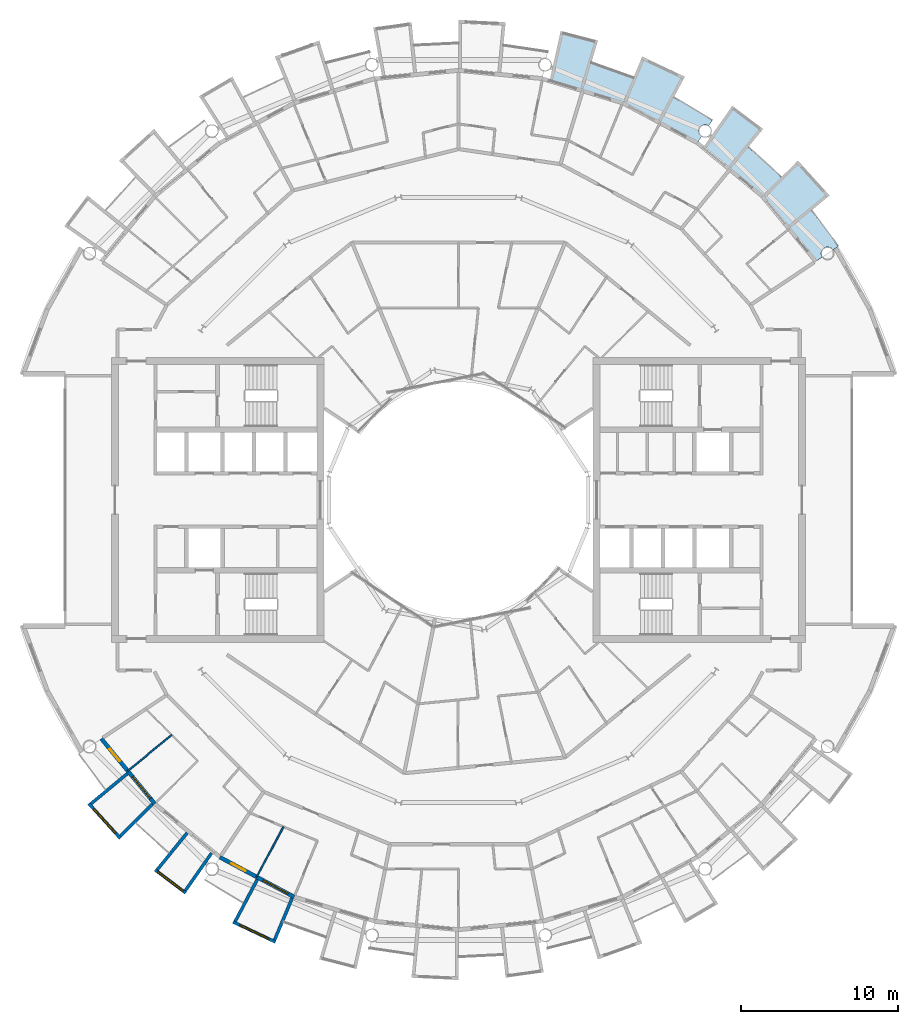
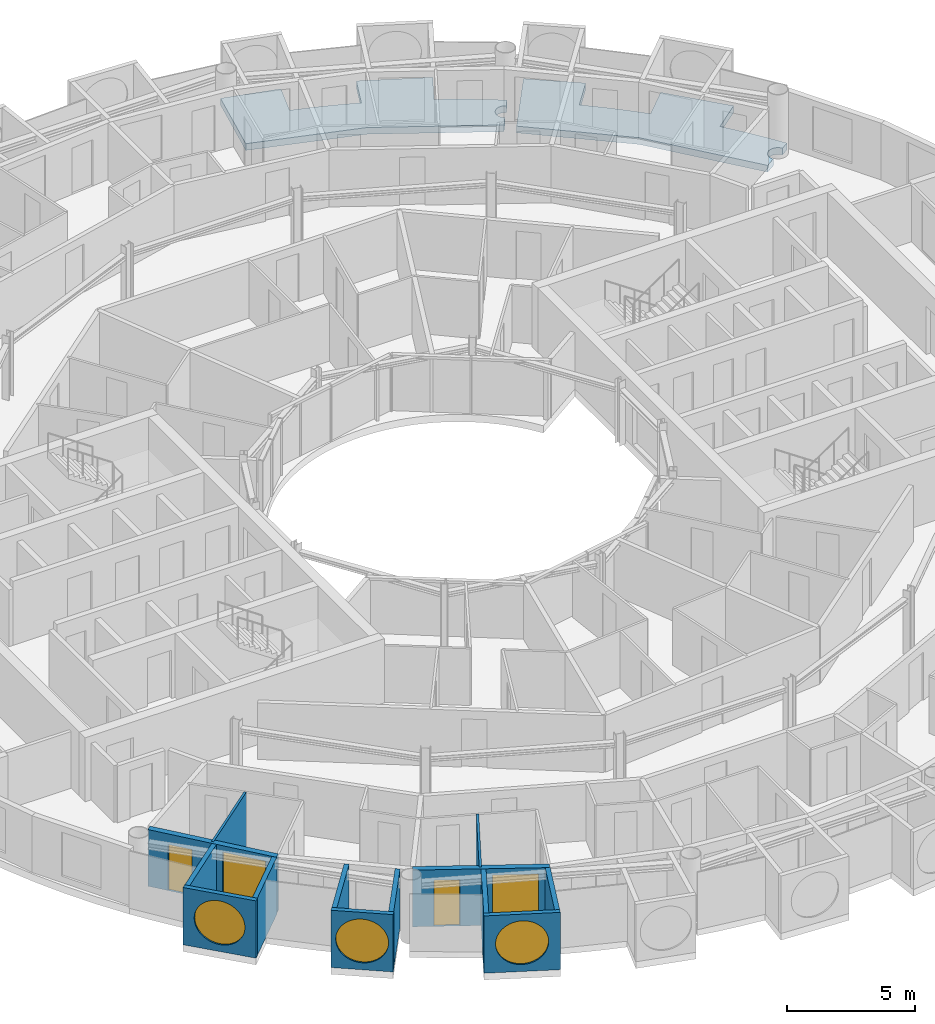
# One storey, part 14 of 29: 13 walls, 5 windows, 2 doors, 2 slabs, 7 openings.
"""IFC4 building model written with IfcOpenShell, lengths in metres."""

from ifc_helpers import new_model, si_unit, direction, frame, frame_2d, origin, place, context, subcontext, project, spatial, polyline, rectangle, circle, outline, extrude, material, layer, layer_set, type_object, element, fill, save


model = new_model("IFC4")

# Units and contexts
model_context = context("Model", 3, precision=1e-05, world=origin(), true_north=direction((0.0, 1.0)))
body_context = subcontext(model_context, "Body", "Model", "MODEL_VIEW")
ifc_project = project(units=[si_unit("LENGTHUNIT", "METRE"), si_unit("AREAUNIT", "SQUARE_METRE"), si_unit("VOLUMEUNIT", "CUBIC_METRE"), si_unit("PLANEANGLEUNIT", "RADIAN"), si_unit("MASSUNIT", "GRAM", prefix="KILO")], contexts=[model_context])

# Site, building, storey
site_placement = place(None, origin())
site = spatial("IfcSite", under=ifc_project, at=site_placement, CompositionType="ELEMENT")
building_placement = place(site_placement, origin())
building = spatial("IfcBuilding", under=site, at=building_placement, Name="Maasbend Ring Residences", CompositionType="ELEMENT")
storey_placement = place(building_placement, frame((0.0, 0.0, 212.699951171875)))
storey = spatial("IfcBuildingStorey", under=building, at=storey_placement, Name="L61", CompositionType="ELEMENT", Elevation=212.699951171875)

# Slabs
ifc_material_1 = material(Name="Concrete C40/50", Category="concrete")
ifc_layer_1 = layer(ifc_material_1, 0.199951171875)
ifc_layer_set_1 = layer_set([ifc_layer_1], Name="Concrete C40/50")
slab_type = type_object("IfcSlabType", Name="SL-LOGGIA", PredefinedType="FLOOR", material=ifc_layer_set_1)
slab_1_placement = place(storey_placement, frame((0.0, 0.0, -0.349853515625)))
element("IfcSlab", 1, at=slab_1_placement, inside=storey, type_object=slab_type, Name="Loggia floor 1", PredefinedType="FLOOR", context=body_context, shape_type="SweptSolid", body=[
    extrude(outline(polyline([(8.85400390625, 29.18701171875), (8.85400390625, 29.18701171875), (8.85400390625, 29.18701171875), (8.41796875, 27.751953125), (8.41796875, 27.751953125), (8.41796875, 27.751953125), (8.41796875, 27.751953125), (8.41796875, 27.751953125), (8.41796875, 27.751953125), (8.41796875, 27.7509765625), (8.41796875, 27.7509765625), (8.41796875, 27.7509765625), (8.41796875, 27.7509765625), (8.41796875, 27.7509765625), (8.4189453125, 27.7509765625), (8.4189453125, 27.7509765625), (8.4189453125, 27.7509765625), (8.4189453125, 27.7509765625), (8.4189453125, 27.7509765625), (8.4189453125, 27.7509765625), (9.322021484375, 27.4609375), (9.322021484375, 27.4609375), (10.215087890625, 27.14111328125), (10.215087890625, 27.14111328125), (11.096923828125, 26.79296875), (11.096923828125, 26.79296875), (11.096923828125, 26.79296875), (11.097900390625, 26.79296875), (11.097900390625, 26.79296875), (11.097900390625, 26.79296875), (11.097900390625, 26.79296875), (11.097900390625, 26.79296875), (11.097900390625, 26.79296875), (11.097900390625, 26.79296875), (11.097900390625, 26.79296875), (11.097900390625, 26.79296875), (11.097900390625, 26.79296875), (11.097900390625, 26.79296875), (11.097900390625, 26.79296875), (11.097900390625, 26.79296875), (11.097900390625, 26.79296875), (11.672119140625, 28.177978515625), (11.672119140625, 28.177978515625), (11.672119140625, 28.177978515625), (14.3779296875, 26.89892578125), (14.3779296875, 26.89892578125), (14.3779296875, 26.89892578125), (13.6708984375, 25.575927734375), (13.6708984375, 25.575927734375), (13.6708984375, 25.575927734375), (13.6708984375, 25.575927734375), (13.6708984375, 25.575927734375), (13.6708984375, 25.575927734375), (13.6708984375, 25.575927734375), (13.6708984375, 25.575927734375), (13.6708984375, 25.575927734375), (13.6708984375, 25.575927734375), (13.6708984375, 25.575927734375), (13.6708984375, 25.575927734375), (13.6708984375, 25.575927734375), (13.6708984375, 25.575927734375), (13.6708984375, 25.575927734375), (13.6708984375, 25.575927734375), (13.6708984375, 25.574951171875), (14.5, 25.114990234375), (14.5, 25.114990234375), (15.31396484375, 24.626953125), (15.31396484375, 24.626953125), (16.112060546875, 24.113037109375), (16.112060546875, 24.113037109375), (16.112060546875, 24.113037109375), (15.89306640625, 23.784912109375), (15.885009765625, 23.791015625), (15.8759765625, 23.7958984375), (15.866943359375, 23.801025390625), (15.85888671875, 23.805908203125), (15.85009765625, 23.81005859375), (15.841064453125, 23.81494140625), (15.83203125, 23.819091796875), (15.822998046875, 23.822998046875), (15.81298828125, 23.826904296875), (15.803955078125, 23.830078125), (15.794921875, 23.8330078125), (15.784912109375, 23.8359375), (15.77587890625, 23.839111328125), (15.76611328125, 23.842041015625), (15.756103515625, 23.843994140625), (15.74609375, 23.845947265625), (15.737060546875, 23.847900390625), (15.72705078125, 23.85009765625), (15.717041015625, 23.85107421875), (15.70703125, 23.85205078125), (15.697021484375, 23.85302734375), (15.68701171875, 23.85302734375), (15.677001953125, 23.85400390625), (15.6669921875, 23.85400390625), (15.656982421875, 23.85400390625), (15.64697265625, 23.85302734375), (15.636962890625, 23.85302734375), (15.626953125, 23.85205078125), (15.616943359375, 23.85107421875), (15.60693359375, 23.85009765625), (15.597900390625, 23.847900390625), (15.587890625, 23.845947265625), (15.577880859375, 23.843994140625), (15.568115234375, 23.842041015625), (15.55908203125, 23.839111328125), (15.549072265625, 23.8359375), (15.5400390625, 23.8330078125), (15.530029296875, 23.830078125), (15.52099609375, 23.826904296875), (15.511962890625, 23.822998046875), (15.501953125, 23.819091796875), (15.492919921875, 23.81494140625), (15.48388671875, 23.81005859375), (15.47509765625, 23.805908203125), (15.467041015625, 23.801025390625), (15.4580078125, 23.7958984375), (15.449951171875, 23.791015625), (15.44091796875, 23.784912109375), (15.43310546875, 23.780029296875), (15.425048828125, 23.77392578125), (15.4169921875, 23.76806640625), (15.408935546875, 23.761962890625), (15.402099609375, 23.7548828125), (15.39404296875, 23.7490234375), (15.386962890625, 23.741943359375), (15.3798828125, 23.735107421875), (15.373046875, 23.72802734375), (15.365966796875, 23.719970703125), (15.35888671875, 23.712890625), (15.35302734375, 23.705078125), (15.346923828125, 23.697021484375), (15.341064453125, 23.68994140625), (15.3349609375, 23.680908203125), (15.3291015625, 23.673095703125), (15.323974609375, 23.6650390625), (15.318115234375, 23.656005859375), (15.31298828125, 23.64794921875), (15.30908203125, 23.638916015625), (15.303955078125, 23.6298828125), (15.300048828125, 23.62109375), (15.294921875, 23.612060546875), (15.2919921875, 23.60302734375), (15.2880859375, 23.593994140625), (15.283935546875, 23.583984375), (15.281005859375, 23.574951171875), (15.278076171875, 23.56494140625), (15.27490234375, 23.555908203125), (15.27294921875, 23.5458984375), (15.27001953125, 23.535888671875), (15.26806640625, 23.527099609375), (15.26708984375, 23.51708984375), (15.264892578125, 23.507080078125), (15.263916015625, 23.4970703125), (15.262939453125, 23.487060546875), (15.261962890625, 23.47705078125), (15.260986328125, 23.467041015625), (15.260986328125, 23.45703125), (15.260986328125, 23.447021484375), (15.260986328125, 23.43701171875), (15.260986328125, 23.427001953125), (15.261962890625, 23.4169921875), (15.262939453125, 23.407958984375), (15.263916015625, 23.39794921875), (15.264892578125, 23.387939453125), (15.26708984375, 23.3779296875), (15.26806640625, 23.367919921875), (15.27001953125, 23.35791015625), (15.27294921875, 23.34912109375), (15.27490234375, 23.339111328125), (15.278076171875, 23.3291015625), (15.281005859375, 23.320068359375), (15.283935546875, 23.31005859375), (15.2880859375, 23.301025390625), (15.2919921875, 23.2919921875), (15.294921875, 23.282958984375), (15.300048828125, 23.27392578125), (15.303955078125, 23.264892578125), (15.30908203125, 23.256103515625), (15.31298828125, 23.2470703125), (15.318115234375, 23.238037109375), (15.323974609375, 23.22998046875), (15.3291015625, 23.221923828125), (15.3349609375, 23.212890625), (15.341064453125, 23.205078125), (15.346923828125, 23.197021484375), (15.35302734375, 23.18994140625), (15.35888671875, 23.181884765625), (15.365966796875, 23.174072265625), (15.373046875, 23.1669921875), (15.3798828125, 23.159912109375), (15.386962890625, 23.153076171875), (15.39404296875, 23.14599609375), (15.402099609375, 23.139892578125), (15.408935546875, 23.133056640625), (15.4169921875, 23.126953125), (15.425048828125, 23.12109375), (15.43310546875, 23.114990234375), (15.44091796875, 23.10888671875), (15.1669921875, 22.698974609375), (15.1669921875, 22.698974609375), (15.1669921875, 22.698974609375), (12.806884765625, 23.9609375), (10.447021484375, 25.221923828125), (10.447021484375, 25.221923828125), (10.447021484375, 25.221923828125), (7.886962890625, 25.9990234375), (5.797119140625, 26.633056640625), (5.797119140625, 26.633056640625), (5.797119140625, 26.633056640625), (6.487060546875, 29.802001953125), (6.487060546875, 29.802001953125), (6.487060546875, 29.802001953125), (8.85400390625, 29.18701171875)])), origin(), (0.0, 0.0, 1.0), 0.31982421875),
])
slab_2_placement = place(storey_placement, frame((0.0, 0.0, -0.349853515625)))
element("IfcSlab", 2, at=slab_2_placement, inside=storey, type_object=slab_type, Name="Loggia floor 4", PredefinedType="FLOOR", context=body_context, shape_type="SweptSolid", body=[
    extrude(outline(polyline([(19.34912109375, 23.576904296875), (19.34912109375, 23.576904296875), (19.34912109375, 23.576904296875), (18.39794921875, 22.41796875), (18.39794921875, 22.41796875), (18.39794921875, 22.41796875), (18.39794921875, 22.41796875), (18.39794921875, 22.41796875), (18.39794921875, 22.4169921875), (18.39794921875, 22.4169921875), (18.39794921875, 22.4169921875), (18.39794921875, 22.4169921875), (18.39794921875, 22.4169921875), (18.39794921875, 22.4169921875), (18.39794921875, 22.4169921875), (18.39794921875, 22.4169921875), (18.39794921875, 22.4169921875), (18.39794921875, 22.4169921875), (18.39794921875, 22.4169921875), (18.39794921875, 22.4169921875), (19.12109375, 21.802978515625), (19.12109375, 21.802978515625), (19.823974609375, 21.166015625), (19.823974609375, 21.166015625), (20.506103515625, 20.506103515625), (20.506103515625, 20.506103515625), (20.506103515625, 20.506103515625), (20.506103515625, 20.506103515625), (20.506103515625, 20.506103515625), (20.506103515625, 20.506103515625), (20.506103515625, 20.506103515625), (20.506103515625, 20.506103515625), (20.506103515625, 20.506103515625), (20.506103515625, 20.506103515625), (20.506103515625, 20.506103515625), (20.506103515625, 20.506103515625), (20.506103515625, 20.506103515625), (20.506103515625, 20.506103515625), (20.506103515625, 20.506103515625), (20.506103515625, 20.506103515625), (20.506103515625, 20.506103515625), (21.56689453125, 21.56689453125), (21.56689453125, 21.56689453125), (21.56689453125, 21.56689453125), (23.576904296875, 19.34912109375), (23.576904296875, 19.34912109375), (23.576904296875, 19.34912109375), (22.41796875, 18.39794921875), (22.41796875, 18.39794921875), (22.41796875, 18.39794921875), (22.41796875, 18.39794921875), (22.41796875, 18.39794921875), (22.41796875, 18.39794921875), (22.41796875, 18.39697265625), (22.41796875, 18.39697265625), (22.41796875, 18.39697265625), (22.41796875, 18.39697265625), (22.41796875, 18.39697265625), (22.41796875, 18.39697265625), (22.41796875, 18.39697265625), (22.41796875, 18.39697265625), (22.41796875, 18.39697265625), (22.41796875, 18.39697265625), (22.41796875, 18.39697265625), (23.007080078125, 17.654052734375), (23.007080078125, 17.654052734375), (23.572998046875, 16.89208984375), (23.572998046875, 16.89208984375), (24.113037109375, 16.112060546875), (24.113037109375, 16.112060546875), (24.113037109375, 16.112060546875), (23.784912109375, 15.89306640625), (23.784912109375, 15.89306640625), (23.780029296875, 15.90087890625), (23.77392578125, 15.908935546875), (23.76806640625, 15.9169921875), (23.761962890625, 15.925048828125), (23.7548828125, 15.93310546875), (23.7490234375, 15.93994140625), (23.741943359375, 15.947021484375), (23.735107421875, 15.955078125), (23.72802734375, 15.9619140625), (23.719970703125, 15.968017578125), (23.712890625, 15.97509765625), (23.705078125, 15.98095703125), (23.697021484375, 15.988037109375), (23.68994140625, 15.993896484375), (23.680908203125, 15.9990234375), (23.673095703125, 16.0048828125), (23.6650390625, 16.010986328125), (23.656005859375, 16.01611328125), (23.64794921875, 16.02099609375), (23.638916015625, 16.02587890625), (23.6298828125, 16.030029296875), (23.62109375, 16.034912109375), (23.612060546875, 16.0390625), (23.60302734375, 16.04296875), (23.593994140625, 16.0458984375), (23.583984375, 16.050048828125), (23.574951171875, 16.052978515625), (23.56494140625, 16.055908203125), (23.555908203125, 16.05908203125), (23.5458984375, 16.06103515625), (23.535888671875, 16.06396484375), (23.527099609375, 16.06591796875), (23.51708984375, 16.068115234375), (23.507080078125, 16.069091796875), (23.4970703125, 16.071044921875), (23.487060546875, 16.072021484375), (23.47705078125, 16.072021484375), (23.467041015625, 16.072998046875), (23.45703125, 16.072998046875), (23.447021484375, 16.073974609375), (23.43701171875, 16.072998046875), (23.427001953125, 16.072998046875), (23.4169921875, 16.072021484375), (23.407958984375, 16.072021484375), (23.39794921875, 16.071044921875), (23.387939453125, 16.069091796875), (23.3779296875, 16.068115234375), (23.367919921875, 16.06591796875), (23.35791015625, 16.06396484375), (23.34912109375, 16.06103515625), (23.339111328125, 16.05908203125), (23.3291015625, 16.055908203125), (23.320068359375, 16.052978515625), (23.31005859375, 16.050048828125), (23.301025390625, 16.0458984375), (23.2919921875, 16.04296875), (23.282958984375, 16.0390625), (23.27392578125, 16.034912109375), (23.264892578125, 16.030029296875), (23.256103515625, 16.02587890625), (23.2470703125, 16.02099609375), (23.238037109375, 16.01611328125), (23.22998046875, 16.010986328125), (23.221923828125, 16.0048828125), (23.212890625, 15.9990234375), (23.205078125, 15.993896484375), (23.197021484375, 15.988037109375), (23.18994140625, 15.98095703125), (23.181884765625, 15.97509765625), (23.174072265625, 15.968017578125), (23.1669921875, 15.9619140625), (23.159912109375, 15.955078125), (23.153076171875, 15.947021484375), (23.14599609375, 15.93994140625), (23.139892578125, 15.93310546875), (23.133056640625, 15.925048828125), (23.126953125, 15.9169921875), (23.12109375, 15.908935546875), (23.114990234375, 15.90087890625), (23.10888671875, 15.89306640625), (23.10400390625, 15.885009765625), (23.09912109375, 15.8759765625), (23.093994140625, 15.866943359375), (23.089111328125, 15.85888671875), (23.083984375, 15.85009765625), (23.080078125, 15.841064453125), (23.075927734375, 15.83203125), (23.072021484375, 15.822998046875), (23.068115234375, 15.81298828125), (23.06494140625, 15.803955078125), (23.06103515625, 15.794921875), (23.05810546875, 15.784912109375), (23.055908203125, 15.77587890625), (23.052978515625, 15.76611328125), (23.051025390625, 15.756103515625), (23.049072265625, 15.74609375), (23.047119140625, 15.737060546875), (23.044921875, 15.72705078125), (23.0439453125, 15.717041015625), (23.04296875, 15.70703125), (23.0419921875, 15.697021484375), (23.041015625, 15.68701171875), (23.041015625, 15.677001953125), (23.041015625, 15.6669921875), (23.041015625, 15.656982421875), (23.041015625, 15.64697265625), (23.0419921875, 15.636962890625), (23.04296875, 15.626953125), (23.0439453125, 15.616943359375), (23.044921875, 15.60693359375), (23.047119140625, 15.597900390625), (23.049072265625, 15.587890625), (23.051025390625, 15.577880859375), (23.052978515625, 15.568115234375), (23.055908203125, 15.55908203125), (23.05810546875, 15.549072265625), (23.06103515625, 15.5400390625), (23.06494140625, 15.530029296875), (23.068115234375, 15.52099609375), (23.072021484375, 15.511962890625), (23.075927734375, 15.501953125), (23.080078125, 15.492919921875), (23.083984375, 15.48388671875), (23.089111328125, 15.47509765625), (23.093994140625, 15.467041015625), (23.09912109375, 15.4580078125), (23.10400390625, 15.449951171875), (23.10888671875, 15.44091796875), (23.10888671875, 15.44091796875), (22.698974609375, 15.1669921875), (22.698974609375, 15.1669921875), (22.698974609375, 15.1669921875), (21.001953125, 17.236083984375), (19.303955078125, 19.303955078125), (19.303955078125, 19.303955078125), (19.303955078125, 19.303955078125), (17.236083984375, 21.001953125), (15.547119140625, 22.386962890625), (15.547119140625, 22.386962890625), (15.547119140625, 22.386962890625), (17.39794921875, 25.051025390625), (17.39794921875, 25.051025390625), (17.39794921875, 25.051025390625), (19.34912109375, 23.576904296875)])), origin(), (0.0, 0.0, 1.0), 0.31982421875),
])

# Wall, opening, window
ifc_material_2 = material(Name="Pale anodised aluminium panel", Category="aluminium")
ifc_layer_2 = layer(ifc_material_2, 0.199951171875)
ifc_layer_set_2 = layer_set([ifc_layer_2], Name="EW-BOX")
wall_type_1 = type_object("IfcWallType", Name="EW-BOX", PredefinedType="SOLIDWALL", material=ifc_layer_set_2)
wall_1_placement = place(storey_placement, frame((-23.5029296875, -19.281982421875, -0.030029296875), z_axis=(0.0, 0.0, 1.0), x_axis=(0.671506829416, -0.740998365753, 0.0)))
wall_1 = element("IfcWall", 3, at=wall_1_placement, inside=storey, type_object=wall_type_1, Name="Box front S02", PredefinedType="SOLIDWALL", context=body_context, shape_type="SweptSolid", body=[
    extrude(rectangle(XDim=2.9931640625, YDim=0.199951171875, at=frame_2d((1.49658203125, 0.0))), origin(), (0.0, 0.0, 1.0), 2.72998046875),
])
opening_1_placement = place(wall_1_placement, frame((0.45654296875, 0.0, 0.330078125)))
opening_1 = element("IfcOpeningElement", 4, at=opening_1_placement, cuts=wall_1, Name="Opening W-RD", PredefinedType="OPENING", context=body_context, shape_type="SweptSolid", body=[
    extrude(circle(Radius=1.0400390625, at=frame_2d((1.0400390625, 1.0400390625))), frame((0.0, 0.10986328125, 0.0), z_axis=(0.0, -1.0, 0.0), x_axis=(1.0, 0.0, 0.0)), (0.0, 0.0, 1.0), 0.219970703125),
])
ifc_material_3 = material(Name="Aluminium and clear glass", Category="aluminium")
window_type_1 = type_object("IfcWindowType", Name="W-RD", PartitioningType="SINGLE_PANEL", PredefinedType="WINDOW", material=ifc_material_3)
window_1_placement = place(opening_1_placement, origin())
window_1 = element("IfcWindow", 5, at=window_1_placement, inside=storey, type_object=window_type_1, Name="Round window S02", OverallHeight=2.080078125, OverallWidth=2.080078125, PartitioningType="SINGLE_PANEL", PredefinedType="WINDOW", context=body_context, shape_type="SweptSolid", body=[
    extrude(circle(Radius=1.0400390625, at=frame_2d((1.0400390625, 1.0400390625))), frame((0.0, 0.030029296875, 0.0), z_axis=(0.0, -1.0, 0.0), x_axis=(1.0, 0.0, 0.0)), (0.0, 0.0, 1.0), 0.06005859375),
])
fill(opening_1, window_1)

# Walls
wall_2_placement = place(storey_placement, frame((-21.041015625, -17.384033203125, -0.030029296875), z_axis=(0.0, 0.0, 1.0), x_axis=(-0.770784861449, -0.63709551667, 0.0)))
element("IfcWall", 6, at=wall_2_placement, inside=storey, type_object=wall_type_1, Name="Box side wall S02 left", PredefinedType="SOLIDWALL", context=body_context, shape_type="SweptSolid", body=[
    extrude(rectangle(XDim=3.005859375, YDim=0.199951171875, at=frame_2d((1.5029296875, 0.0))), origin(), (0.0, 0.0, 1.0), 2.72998046875),
])
wall_3_placement = place(storey_placement, frame((-19.449951171875, -19.322998046875, -0.030029296875), z_axis=(0.0, 0.0, 1.0), x_axis=(-0.709727076896, -0.704476739375, 0.0)))
element("IfcWall", 7, at=wall_3_placement, inside=storey, type_object=wall_type_1, Name="Box side wall S02 right", PredefinedType="SOLIDWALL", context=body_context, shape_type="SweptSolid", body=[
    extrude(rectangle(XDim=2.883056640625, YDim=0.199951171875, at=frame_2d((1.44140625, 0.0))), origin(), (0.0, 0.0, 1.0), 2.72998046875),
])

# Wall, opening, window
wall_4_placement = place(storey_placement, frame((-19.2890625, -23.4970703125, -0.030029296875), z_axis=(0.0, 0.0, 1.0), x_axis=(0.797887588059, -0.602806268067, 0.0)))
wall_4 = element("IfcWall", 8, at=wall_4_placement, inside=storey, type_object=wall_type_1, Name="Box front S04", PredefinedType="SOLIDWALL", context=body_context, shape_type="SweptSolid", body=[
    extrude(rectangle(XDim=2.446533203125, YDim=0.199951171875, at=frame_2d((1.22314453125, 0.0))), origin(), (0.0, 0.0, 1.0), 2.72998046875),
])
opening_2_placement = place(wall_4_placement, frame((0.182861328125, 0.0, 0.330078125)))
opening_2 = element("IfcOpeningElement", 9, at=opening_2_placement, cuts=wall_4, Name="Opening W-RD", PredefinedType="OPENING", context=body_context, shape_type="SweptSolid", body=[
    extrude(circle(Radius=1.0400390625, at=frame_2d((1.0400390625, 1.0400390625))), frame((0.0, 0.10986328125, 0.0), z_axis=(0.0, -1.0, 0.0), x_axis=(1.0, 0.0, 0.0)), (0.0, 0.0, 1.0), 0.219970703125),
])
window_2_placement = place(opening_2_placement, origin())
window_2 = element("IfcWindow", 10, at=window_2_placement, inside=storey, type_object=window_type_1, Name="Round window S04", OverallHeight=2.080078125, OverallWidth=2.080078125, PartitioningType="SINGLE_PANEL", PredefinedType="WINDOW", context=body_context, shape_type="SweptSolid", body=[
    extrude(circle(Radius=1.0400390625, at=frame_2d((1.0400390625, 1.0400390625))), frame((0.0, 0.030029296875, 0.0), z_axis=(0.0, -1.0, 0.0), x_axis=(1.0, 0.0, 0.0)), (0.0, 0.0, 1.0), 0.06005859375),
])
fill(opening_2, window_2)

# Walls
wall_5_placement = place(storey_placement, frame((-17.24609375, -21.155029296875, -0.030029296875), z_axis=(0.0, 0.0, 1.0), x_axis=(-0.631741648902, -0.775179004516, 0.0)))
element("IfcWall", 11, at=wall_5_placement, inside=storey, type_object=wall_type_1, Name="Box side wall S04 left", PredefinedType="SOLIDWALL", context=body_context, shape_type="SweptSolid", body=[
    extrude(rectangle(XDim=3.005859375, YDim=0.199951171875, at=frame_2d((1.5029296875, 0.0))), origin(), (0.0, 0.0, 1.0), 2.72998046875),
])
wall_6_placement = place(storey_placement, frame((-15.68798828125, -22.43310546875, -0.030029296875), z_axis=(0.0, 0.0, 1.0), x_axis=(-0.573260687834, -0.819373043115, 0.0)))
element("IfcWall", 12, at=wall_6_placement, inside=storey, type_object=wall_type_1, Name="Box side wall S04 right", PredefinedType="SOLIDWALL", context=body_context, shape_type="SweptSolid", body=[
    extrude(rectangle(XDim=2.92529296875, YDim=0.199951171875, at=frame_2d((1.462646484375, 0.0))), origin(), (0.0, 0.0, 1.0), 2.72998046875),
])

# Wall, opening, window
wall_7_placement = place(storey_placement, frame((-14.3349609375, -26.80810546875, -0.030029296875), z_axis=(0.0, 0.0, 1.0), x_axis=(0.904000060331, -0.427532327342, 0.0)))
wall_7 = element("IfcWall", 13, at=wall_7_placement, inside=storey, type_object=wall_type_1, Name="Box front S06", PredefinedType="SOLIDWALL", context=body_context, shape_type="SweptSolid", body=[
    extrude(rectangle(XDim=2.993408203125, YDim=0.199951171875, at=frame_2d((1.49658203125, 0.0))), origin(), (0.0, 0.0, 1.0), 2.72998046875),
])
opening_3_placement = place(wall_7_placement, frame((0.45654296875, 0.0, 0.330078125)))
opening_3 = element("IfcOpeningElement", 14, at=opening_3_placement, cuts=wall_7, Name="Opening W-RD", PredefinedType="OPENING", context=body_context, shape_type="SweptSolid", body=[
    extrude(circle(Radius=1.0400390625, at=frame_2d((1.0400390625, 1.0400390625))), frame((0.0, 0.10986328125, 0.0), z_axis=(0.0, -1.0, 0.0), x_axis=(1.0, 0.0, 0.0)), (0.0, 0.0, 1.0), 0.219970703125),
])
window_3_placement = place(opening_3_placement, origin())
window_3 = element("IfcWindow", 15, at=window_3_placement, inside=storey, type_object=window_type_1, Name="Round window S06", OverallHeight=2.080078125, OverallWidth=2.080078125, PartitioningType="SINGLE_PANEL", PredefinedType="WINDOW", context=body_context, shape_type="SweptSolid", body=[
    extrude(circle(Radius=1.0400390625, at=frame_2d((1.0400390625, 1.0400390625))), frame((0.0, 0.030029296875, 0.0), z_axis=(0.0, -1.0, 0.0), x_axis=(1.0, 0.0, 0.0)), (0.0, 0.0, 1.0), 0.06005859375),
])
fill(opening_3, window_3)

# Walls
wall_8_placement = place(storey_placement, frame((-12.787109375, -24.113037109375, -0.030029296875), z_axis=(0.0, 0.0, 1.0), x_axis=(-0.468365282436, -0.883534924159, 0.0)))
element("IfcWall", 16, at=wall_8_placement, inside=storey, type_object=wall_type_1, Name="Box side wall S06 left", PredefinedType="SOLIDWALL", context=body_context, shape_type="SweptSolid", body=[
    extrude(rectangle(XDim=3.006103515625, YDim=0.199951171875, at=frame_2d((1.5029296875, 0.0))), origin(), (0.0, 0.0, 1.0), 2.72998046875),
])
wall_9_placement = place(storey_placement, frame((-10.574951171875, -25.294921875, -0.030029296875), z_axis=(0.0, 0.0, 1.0), x_axis=(-0.385697364644, -0.922625353492, 0.0)))
element("IfcWall", 17, at=wall_9_placement, inside=storey, type_object=wall_type_1, Name="Box side wall S06 right", PredefinedType="SOLIDWALL", context=body_context, shape_type="SweptSolid", body=[
    extrude(rectangle(XDim=2.88330078125, YDim=0.199951171875, at=frame_2d((1.441650390625, 0.0))), origin(), (0.0, 0.0, 1.0), 2.72998046875),
])

# Wall, openings, door, window
ifc_material_4 = material(Name="Aluminium clad insulated panel", Category="aluminium")
ifc_layer_3 = layer(ifc_material_4, 0.25)
ifc_layer_set_3 = layer_set([ifc_layer_3], Name="EW-GL")
wall_type_2 = type_object("IfcWallType", Name="EW-GL", PredefinedType="SOLIDWALL", material=ifc_layer_set_3)
wall_10_placement = place(storey_placement, frame((-22.698974609375, -15.1669921875, 0.0), z_axis=(0.0, 0.0, 1.0), x_axis=(0.634382322723, -0.773019449054, 0.0)))
wall_10 = element("IfcWall", 18, at=wall_10_placement, inside=storey, type_object=wall_type_2, Name="External wall S01", PredefinedType="SOLIDWALL", context=body_context, shape_type="SweptSolid", body=[
    extrude(rectangle(XDim=5.351806640625, YDim=0.25, at=frame_2d((2.67578125, 0.0))), origin(), (0.0, 0.0, 1.0), 2.699951171875),
])
opening_4_placement = place(wall_10_placement, frame((0.841064453125, 0.0, 0.0)))
opening_4 = element("IfcOpeningElement", 19, at=opening_4_placement, cuts=wall_10, Name="Opening D-LG", PredefinedType="OPENING", context=body_context, shape_type="SweptSolid", body=[
    extrude(rectangle(XDim=1.0, YDim=2.199951171875, at=frame_2d((0.5, 1.10009765625))), frame((0.0, 0.135009765625, 0.0), z_axis=(0.0, -1.0, 0.0), x_axis=(1.0, 0.0, 0.0)), (0.0, 0.0, 1.0), 0.27001953125),
])
opening_5_placement = place(wall_10_placement, frame((3.110595703125, 0.0, 0.300048828125)))
opening_5 = element("IfcOpeningElement", 20, at=opening_5_placement, cuts=wall_10, Name="Opening W-BX", PredefinedType="OPENING", context=body_context, shape_type="SweptSolid", body=[
    extrude(rectangle(XDim=1.800048828125, YDim=2.10009765625, at=frame_2d((0.89990234375, 1.050048828125))), frame((0.0, 0.135009765625, 0.0), z_axis=(0.0, -1.0, 0.0), x_axis=(1.0, 0.0, 0.0)), (0.0, 0.0, 1.0), 0.27001953125),
])
ifc_material_5 = material(Name="Aluminium and clear glass", Category="aluminium")
door_type = type_object("IfcDoorType", Name="D-LG", OperationType="SINGLE_SWING_LEFT", PredefinedType="DOOR", material=ifc_material_5)
door_1_placement = place(opening_4_placement, origin())
door_1 = element("IfcDoor", 21, at=door_1_placement, inside=storey, type_object=door_type, Name="Loggia door S01", OperationType="SINGLE_SWING_LEFT", OverallHeight=2.199951171875, OverallWidth=1.0, PredefinedType="DOOR", context=body_context, shape_type="SweptSolid", body=[
    extrude(rectangle(XDim=1.0, YDim=2.199951171875, at=frame_2d((0.5, 1.10009765625))), frame((0.0, 0.02490234375, 0.0), z_axis=(0.0, -1.0, 0.0), x_axis=(1.0, 0.0, 0.0)), (0.0, 0.0, 1.0), 0.050048828125),
])
fill(opening_4, door_1)
ifc_material_6 = material(Name="Aluminium and clear glass", Category="aluminium")
window_type_2 = type_object("IfcWindowType", Name="W-BX", PartitioningType="DOUBLE_PANEL_VERTICAL", PredefinedType="WINDOW", material=ifc_material_6)
window_4_placement = place(opening_5_placement, origin())
window_4 = element("IfcWindow", 22, at=window_4_placement, inside=storey, type_object=window_type_2, Name="Window S02 room to box", OverallHeight=2.10009765625, OverallWidth=1.800048828125, PartitioningType="SINGLE_PANEL", PredefinedType="WINDOW", context=body_context, shape_type="SweptSolid", body=[
    extrude(rectangle(XDim=1.800048828125, YDim=2.10009765625, at=frame_2d((0.89990234375, 1.050048828125))), frame((0.0, 0.030029296875, 0.0), z_axis=(0.0, -1.0, 0.0), x_axis=(1.0, 0.0, 0.0)), (0.0, 0.0, 1.0), 0.06005859375),
])
fill(opening_5, window_4)

wall_11_placement = place(storey_placement, frame((-15.1669921875, -22.698974609375, 0.0), z_axis=(0.0, 0.0, 1.0), x_axis=(0.881915646801, -0.471407246368, 0.0)))
wall_11 = element("IfcWall", 23, at=wall_11_placement, inside=storey, type_object=wall_type_2, Name="External wall S03", PredefinedType="SOLIDWALL", context=body_context, shape_type="SweptSolid", body=[
    extrude(rectangle(XDim=5.35205078125, YDim=0.25, at=frame_2d((2.676025390625, 0.0))), origin(), (0.0, 0.0, 1.0), 2.699951171875),
])
opening_6_placement = place(wall_11_placement, frame((0.841064453125, 0.0, 0.0)))
opening_6 = element("IfcOpeningElement", 24, at=opening_6_placement, cuts=wall_11, Name="Opening D-LG", PredefinedType="OPENING", context=body_context, shape_type="SweptSolid", body=[
    extrude(rectangle(XDim=1.0, YDim=2.199951171875, at=frame_2d((0.5, 1.10009765625))), frame((0.0, 0.135009765625, 0.0), z_axis=(0.0, -1.0, 0.0), x_axis=(1.0, 0.0, 0.0)), (0.0, 0.0, 1.0), 0.27001953125),
])
opening_7_placement = place(wall_11_placement, frame((3.110595703125, 0.0, 0.300048828125)))
opening_7 = element("IfcOpeningElement", 25, at=opening_7_placement, cuts=wall_11, Name="Opening W-BX", PredefinedType="OPENING", context=body_context, shape_type="SweptSolid", body=[
    extrude(rectangle(XDim=1.800048828125, YDim=2.10009765625, at=frame_2d((0.89990234375, 1.050048828125))), frame((0.0, 0.135009765625, 0.0), z_axis=(0.0, -1.0, 0.0), x_axis=(1.0, 0.0, 0.0)), (0.0, 0.0, 1.0), 0.27001953125),
])
door_2_placement = place(opening_6_placement, origin())
door_2 = element("IfcDoor", 26, at=door_2_placement, inside=storey, type_object=door_type, Name="Loggia door S05", OperationType="SINGLE_SWING_LEFT", OverallHeight=2.199951171875, OverallWidth=1.0, PredefinedType="DOOR", context=body_context, shape_type="SweptSolid", body=[
    extrude(rectangle(XDim=1.0, YDim=2.199951171875, at=frame_2d((0.5, 1.10009765625))), frame((0.0, 0.02490234375, 0.0), z_axis=(0.0, -1.0, 0.0), x_axis=(1.0, 0.0, 0.0)), (0.0, 0.0, 1.0), 0.050048828125),
])
fill(opening_6, door_2)
window_5_placement = place(opening_7_placement, origin())
window_5 = element("IfcWindow", 27, at=window_5_placement, inside=storey, type_object=window_type_2, Name="Window S06 room to box", OverallHeight=2.10009765625, OverallWidth=1.800048828125, PartitioningType="SINGLE_PANEL", PredefinedType="WINDOW", context=body_context, shape_type="SweptSolid", body=[
    extrude(rectangle(XDim=1.800048828125, YDim=2.10009765625, at=frame_2d((0.89990234375, 1.050048828125))), frame((0.0, 0.030029296875, 0.0), z_axis=(0.0, -1.0, 0.0), x_axis=(1.0, 0.0, 0.0)), (0.0, 0.0, 1.0), 0.06005859375),
])
fill(opening_7, window_5)

# Walls
ifc_material_7 = material(Name="Gypsum board on steel studs", Category="steel")
ifc_layer_4 = layer(ifc_material_7, 0.10009765625)
ifc_layer_set_4 = layer_set([ifc_layer_4], Name="PARTITION 100 GYPSUM")
wall_type_3 = type_object("IfcWallType", Name="PARTITION 100 GYPSUM", PredefinedType="PARTITIONING", material=ifc_layer_set_4)
wall_12_placement = place(storey_placement, frame((-21.02294921875, -17.219970703125, 0.0), z_axis=(0.0, 0.0, 1.0), x_axis=(0.773548271597, 0.633737383709, 0.0)))
element("IfcWall", 28, at=wall_12_placement, inside=storey, type_object=wall_type_3, Name="U-L61-w041", PredefinedType="PARTITIONING", context=body_context, shape_type="SweptSolid", body=[
    extrude(rectangle(XDim=3.6181640625, YDim=0.10009765625, at=frame_2d((1.80908203125, 0.0))), origin(), (0.0, 0.0, 1.0), 2.699951171875),
])
wall_13_placement = place(storey_placement, frame((-12.8330078125, -23.9541015625, 0.0), z_axis=(0.0, 0.0, 1.0), x_axis=(0.472212052488, 0.881484984265, 0.0)))
element("IfcWall", 29, at=wall_13_placement, inside=storey, type_object=wall_type_3, Name="U-L61-w047", PredefinedType="PARTITIONING", context=body_context, shape_type="SweptSolid", body=[
    extrude(rectangle(XDim=3.619140625, YDim=0.10009765625, at=frame_2d((1.8095703125, 0.0))), origin(), (0.0, 0.0, 1.0), 2.699951171875),
])

save(model, "model.ifc")
